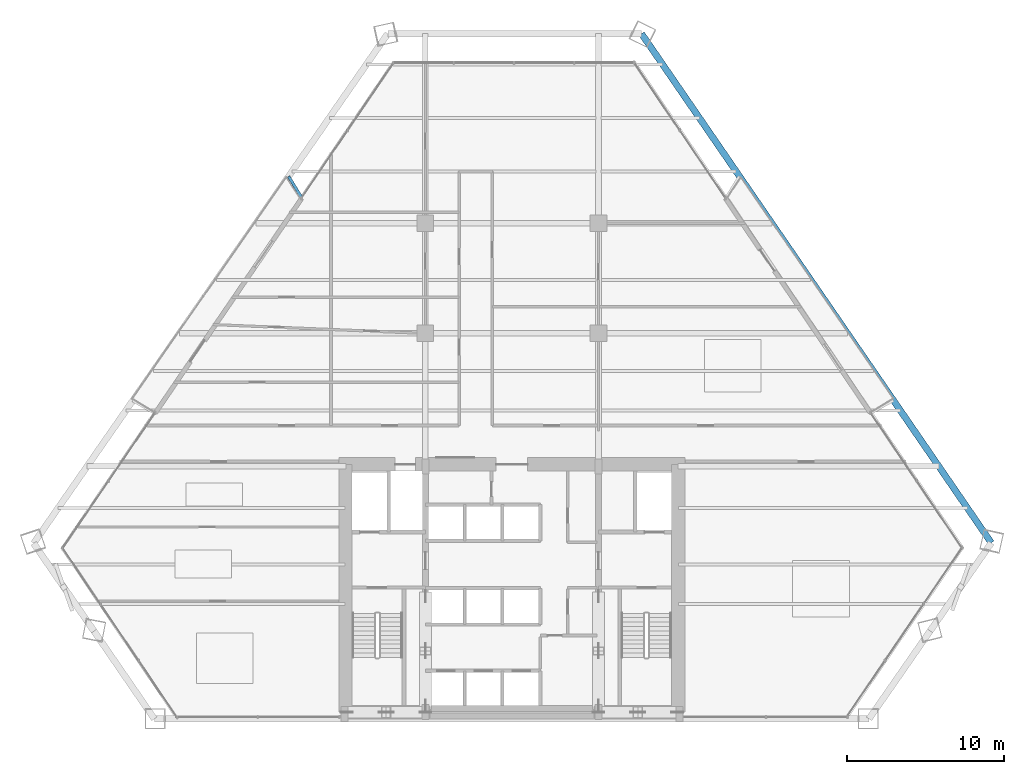
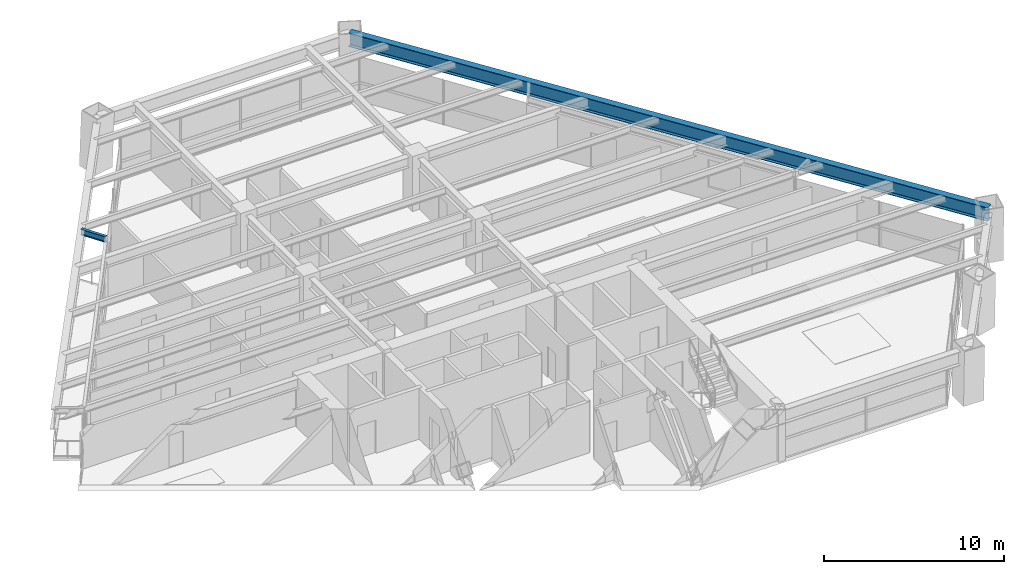
# One storey, part 7 of 14: 2 beams.
"""IFC4 building model written with IfcOpenShell, lengths in metres."""

from ifc_helpers import new_model, si_unit, direction, frame, origin, origin_2d, place, context, subcontext, project, spatial, i_section, extrude, source, transform, mapped, material, material_profile, profile_set, type_object, element, save


model = new_model("IFC4")

# Units and contexts
model_context = context("Model", 3, precision=1e-05, world=origin(), true_north=direction((0.0, 1.0)))
body_context = subcontext(model_context, "Body", "Model", "MODEL_VIEW")
ifc_project = project(units=[si_unit("LENGTHUNIT", "METRE"), si_unit("AREAUNIT", "SQUARE_METRE"), si_unit("VOLUMEUNIT", "CUBIC_METRE"), si_unit("PLANEANGLEUNIT", "RADIAN"), si_unit("MASSUNIT", "GRAM", prefix="KILO")], contexts=[model_context])

# Site, building, storey
site_placement = place(None, origin())
site = spatial("IfcSite", under=ifc_project, at=site_placement, CompositionType="ELEMENT")
building_placement = place(site_placement, origin())
building = spatial("IfcBuilding", under=site, at=building_placement, Name="Varnakhor Terracotta Tower", CompositionType="ELEMENT")
storey_placement = place(building_placement, frame((0.0, 0.0, 38.60009765625)))
storey = spatial("IfcBuildingStorey", under=building, at=storey_placement, Name="L08", CompositionType="ELEMENT", Elevation=38.60009765625)

# Beams
ifc_material = material(Name="Steel S355", Category="steel")
ifc_material_profile_1 = material_profile(ifc_material, i_section(OverallWidth=0.41796875, OverallDepth=0.927001953125, WebThickness=0.01904296875, FlangeThickness=0.031982421875, FilletRadius=0.01806640625, at=origin_2d()), Name="W36X231")
ifc_profile_set_1 = profile_set([ifc_material_profile_1], Name="Steel S355")
beam_type_1 = type_object("IfcBeamType", Name="BM-W36X231", PredefinedType="BEAM", material=ifc_profile_set_1)
shared_shape_1 = source(origin(), body_context, "Body", "SweptSolid", [
    extrude(i_section(OverallWidth=0.41796875, OverallDepth=0.927001953125, WebThickness=0.01904296875, FlangeThickness=0.031982421875, FilletRadius=0.01806640625, at=origin_2d()), origin(), (0.0, 0.0, 1.0), 39.260498046875),
])
beam_1_placement = place(storey_placement, frame((30.46630859375, 11.18798828125, 2.986328125), z_axis=(-0.566262766954, 0.824224774416, 0.0), x_axis=(-0.824224774416, -0.566262766954, 0.0)))
element("IfcBeam", 1, at=beam_1_placement, inside=storey, type_object=beam_type_1, Name="L08 Perimeter Spandrel 4", PredefinedType="BEAM", context=body_context, shape_type="MappedRepresentation", body=[
    mapped(shared_shape_1, transform((0.0, 0.0, 0.0), scale=1.0)),
])
ifc_material_profile_2 = material_profile(ifc_material, i_section(OverallWidth=0.179931640625, OverallDepth=0.39990234375, WebThickness=0.008544921875, FlangeThickness=0.013427734375, FilletRadius=0.01806640625, at=origin_2d()), Name="IPE400")
ifc_profile_set_2 = profile_set([ifc_material_profile_2], Name="Steel S355")
beam_type_2 = type_object("IfcBeamType", Name="JST-IPE400", PredefinedType="JOIST", material=ifc_profile_set_2)
shared_shape_2 = source(origin(), body_context, "Body", "SweptSolid", [
    extrude(i_section(OverallWidth=0.179931640625, OverallDepth=0.39990234375, WebThickness=0.008544921875, FlangeThickness=0.013427734375, FilletRadius=0.01806640625, at=origin_2d()), origin(), (0.0, 0.0, 1.0), 1.57666015625),
])
beam_2_placement = place(storey_placement, frame((-13.36767578125, 33.13623046875, 3.25), z_axis=(-0.524028304244, 0.851700849096, 0.0), x_axis=(-0.851700849096, -0.524028304244, 0.0)))
element("IfcBeam", 2, at=beam_2_placement, inside=storey, type_object=beam_type_2, Name="L09 W Loggia Tie Beam 2", PredefinedType="JOIST", context=body_context, shape_type="MappedRepresentation", body=[
    mapped(shared_shape_2, transform((0.0, 0.0, 0.0), scale=1.0)),
])

save(model, "model.ifc")
